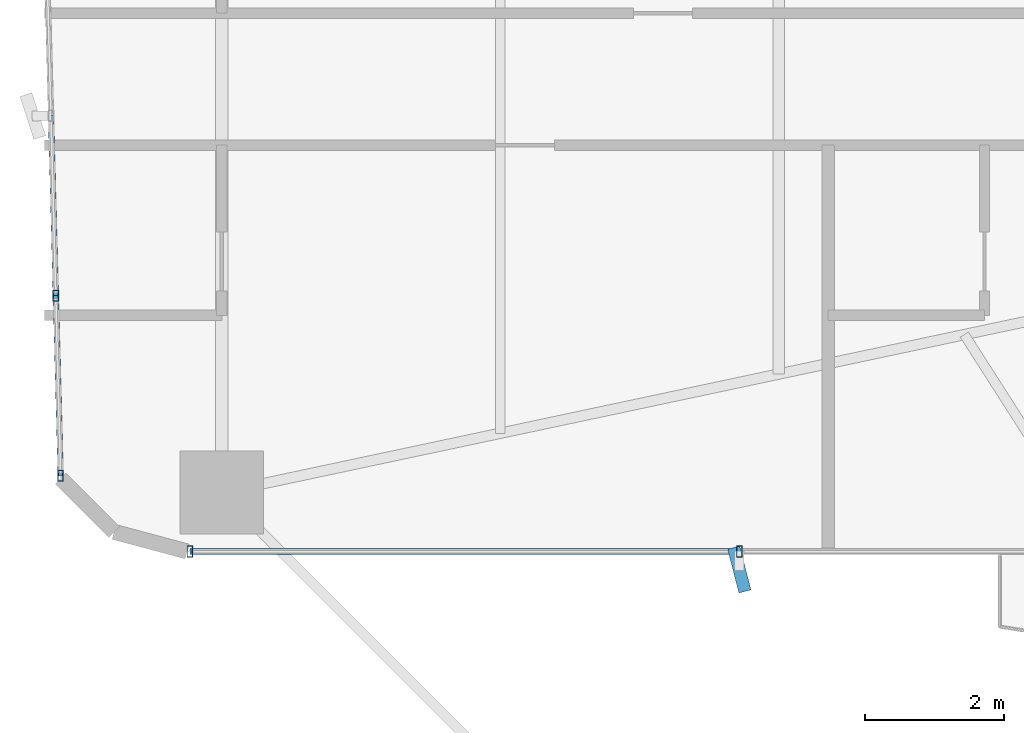
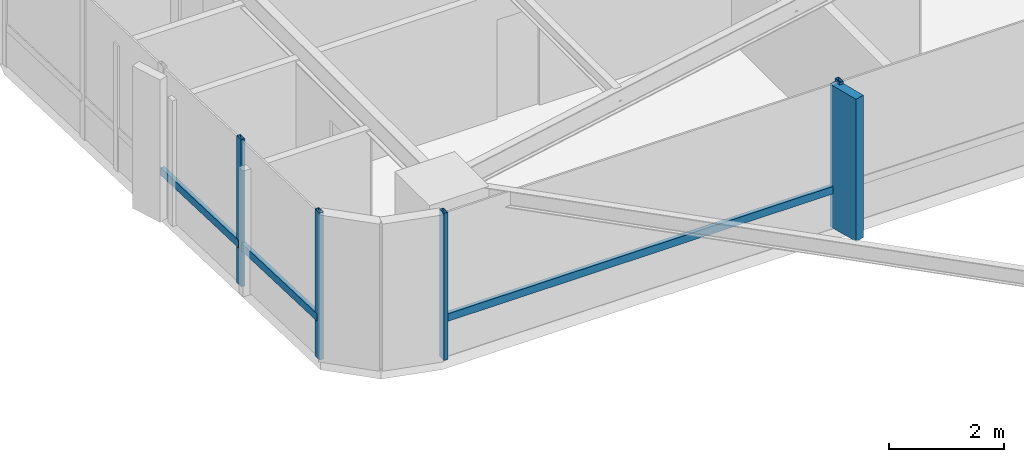
# One storey, part 6 of 25: 8 members, 2 elements without a shape of their own.
"""IFC4 building model written with IfcOpenShell, lengths in metres."""

from ifc_helpers import new_model, si_unit, direction, frame, origin, origin_2d, place, context, subcontext, project, spatial, rectangle, hollow_rectangle, extrude, source, transform, mapped, material, material_profile, profile_set, type_object, element, aggregate, save


model = new_model("IFC4")

# Units and contexts
model_context = context("Model", 3, precision=1e-05, world=origin(), true_north=direction((0.0, 1.0)))
body_context = subcontext(model_context, "Body", "Model", "MODEL_VIEW")
ifc_project = project(units=[si_unit("LENGTHUNIT", "METRE"), si_unit("AREAUNIT", "SQUARE_METRE"), si_unit("VOLUMEUNIT", "CUBIC_METRE"), si_unit("PLANEANGLEUNIT", "RADIAN"), si_unit("MASSUNIT", "GRAM", prefix="KILO")], contexts=[model_context])

# Site, building, storey
site_placement = place(None, origin())
site = spatial("IfcSite", under=ifc_project, at=site_placement, CompositionType="ELEMENT")
building_placement = place(site_placement, origin())
building = spatial("IfcBuilding", under=site, at=building_placement, Name="Sahyath Konkavel Grand Hotel", CompositionType="ELEMENT")
storey_placement = place(building_placement, frame((0.0, 0.0, 54.39990234375)))
storey = spatial("IfcBuildingStorey", under=building, at=storey_placement, Name="L14", CompositionType="ELEMENT", Elevation=54.39990234375)

# Curtain wall, members
ifc_material_1 = material(Name="Anodised Bronze Aluminium & Low-E Glazing", Category="aluminium")
curtain_wall_type = type_object("IfcCurtainWallType", Name="CW-ZONE1", PredefinedType="NOTDEFINED", material=ifc_material_1)
curtain_wall_1_placement = place(storey_placement, origin())
curtain_wall_1 = element("IfcCurtainWall", 1, at=curtain_wall_1_placement, inside=storey, type_object=curtain_wall_type, Name="L14 Unitised Curtain Wall F23", PredefinedType="NOTDEFINED")
ifc_material_2 = material(Name="Warm Buff Sandstone Cladding on Concrete C50/60", Category="masonry")
ifc_material_profile_1 = material_profile(ifc_material_2, rectangle(XDim=0.179931640625, YDim=0.64990234375, at=origin_2d()), Name="FIN 180x650")
ifc_profile_set_1 = profile_set([ifc_material_profile_1], Name="Warm Buff Sandstone Cladding on Concrete C50/60")
member_type_1 = type_object("IfcMemberType", Name="FIN-SANDSTONE-650", PredefinedType="MULLION", material=ifc_profile_set_1)
shared_shape_1 = source(origin(), body_context, "Body", "SweptSolid", [
    extrude(rectangle(XDim=0.179931640625, YDim=0.64990234375, at=origin_2d()), origin(), (0.0, 0.0, 1.0), 3.010009765625),
])
member_1_placement = place(storey_placement, frame((-14.75, -7.06005859375, 0.050048828125), z_axis=(0.0, 0.0, 1.0), x_axis=(0.96862655095, 0.248520833726, 0.0)))
member_1 = element("IfcMember", 2, at=member_1_placement, type_object=member_type_1, Name="L14 Sandstone Vertical Solar Fin FIN F23-1", PredefinedType="MULLION", context=body_context, shape_type="MappedRepresentation", body=[
    mapped(shared_shape_1, transform((0.0, 0.0, 0.0), scale=1.0)),
])
ifc_material_3 = material(Name="Anodised Bronze Aluminium", Category="aluminium")
ifc_material_profile_2 = material_profile(ifc_material_3, hollow_rectangle(XDim=0.080078125, YDim=0.159912109375, WallThickness=0.006103515625, at=origin_2d()), Name="RHS 160x80x6")
ifc_profile_set_2 = profile_set([ifc_material_profile_2], Name="Anodised Bronze Aluminium")
member_type_2 = type_object("IfcMemberType", Name="CW-TRN-160", PredefinedType="USERDEFINED", material=ifc_profile_set_2)
shared_shape_2 = source(origin(), body_context, "Body", "SweptSolid", [
    extrude(hollow_rectangle(XDim=0.080078125, YDim=0.159912109375, WallThickness=0.006103515625, at=origin_2d()), origin(), (0.0, 0.0, 1.0), 7.909912109375),
])
member_2_placement = place(storey_placement, frame((-22.659912109375, -6.800048828125, 0.85009765625), z_axis=(1.0, 0.0, 0.0), x_axis=(0.0, 1.0, 0.0)))
member_2 = element("IfcMember", 3, at=member_2_placement, type_object=member_type_2, Name="L14 Curtain Wall Transom F23-0-spandrel", ObjectType="TRANSOM", PredefinedType="USERDEFINED", context=body_context, shape_type="MappedRepresentation", body=[
    mapped(shared_shape_2, transform((0.0, 0.0, 0.0), scale=1.0)),
])

curtain_wall_2_placement = place(storey_placement, origin())
curtain_wall_2 = element("IfcCurtainWall", 4, at=curtain_wall_2_placement, inside=storey, type_object=curtain_wall_type, Name="L14 Unitised Curtain Wall F20", PredefinedType="NOTDEFINED")
shared_shape_3 = source(origin(), body_context, "Body", "SweptSolid", [
    extrude(hollow_rectangle(XDim=0.080078125, YDim=0.159912109375, WallThickness=0.006103515625, at=origin_2d()), origin(), (0.0, 0.0, 1.0), 2.593505859375),
])
member_3_placement = place(storey_placement, frame((-24.6591796875, -0.52490234375, 0.85009765625), z_axis=(0.02682902444, -0.999640036937, 0.0), x_axis=(0.999640036937, 0.02682902444, 0.0)))
member_3 = element("IfcMember", 5, at=member_3_placement, type_object=member_type_2, Name="L14 Curtain Wall Transom F20-2-spandrel", ObjectType="TRANSOM", PredefinedType="USERDEFINED", context=body_context, shape_type="MappedRepresentation", body=[
    mapped(shared_shape_3, transform((0.0, 0.0, 0.0), scale=1.0)),
])
member_4_placement = place(storey_placement, frame((-24.589599609375, -3.117431640625, 0.85009765625), z_axis=(0.026923093252, -0.999637507825, 0.0), x_axis=(0.999637507825, 0.026923093252, 0.0)))
member_4 = element("IfcMember", 6, at=member_4_placement, type_object=member_type_2, Name="L14 Curtain Wall Transom F20-3-spandrel", ObjectType="TRANSOM", PredefinedType="USERDEFINED", context=body_context, shape_type="MappedRepresentation", body=[
    mapped(shared_shape_3, transform((0.0, 0.0, 0.0), scale=1.0)),
])
ifc_material_profile_3 = material_profile(ifc_material_3, hollow_rectangle(XDim=0.080078125, YDim=0.159912109375, WallThickness=0.006103515625, at=origin_2d()), Name="RHS 160x80x6")
ifc_profile_set_3 = profile_set([ifc_material_profile_3], Name="Anodised Bronze Aluminium")
member_type_3 = type_object("IfcMemberType", Name="CW-MUL-160", PredefinedType="MULLION", material=ifc_profile_set_3)
shared_shape_4 = source(origin(), body_context, "Body", "SweptSolid", [
    extrude(hollow_rectangle(XDim=0.080078125, YDim=0.159912109375, WallThickness=0.006103515625, at=origin_2d()), origin(), (0.0, 0.0, 1.0), 3.110107421875),
])
member_5_placement = place(storey_placement, frame((-24.589599609375, -3.117431640625, 0.0), z_axis=(0.0, 0.0, 1.0), x_axis=(1.0, 0.0, 0.0)))
member_5 = element("IfcMember", 7, at=member_5_placement, type_object=member_type_3, Name="L14 Curtain Wall Mullion F20-3", PredefinedType="MULLION", context=body_context, shape_type="MappedRepresentation", body=[
    mapped(shared_shape_4, transform((0.0, 0.0, 0.0), scale=1.0)),
])
member_6_placement = place(storey_placement, frame((-24.519775390625, -5.7099609375, 0.0), z_axis=(0.0, 0.0, 1.0), x_axis=(1.0, 0.0, 0.0)))
member_6 = element("IfcMember", 8, at=member_6_placement, type_object=member_type_3, Name="L14 Curtain Wall Mullion F20-4", PredefinedType="MULLION", context=body_context, shape_type="MappedRepresentation", body=[
    mapped(shared_shape_4, transform((0.0, 0.0, 0.0), scale=1.0)),
])
aggregate(curtain_wall_2, [member_5, member_6, member_3, member_4])

# Member
member_7_placement = place(storey_placement, frame((-22.659912109375, -6.800048828125, 0.0), z_axis=(0.0, 0.0, 1.0), x_axis=(1.0, 0.0, 0.0)))
member_7 = element("IfcMember", 9, at=member_7_placement, type_object=member_type_3, Name="L14 Curtain Wall Mullion F23-0", PredefinedType="MULLION", context=body_context, shape_type="MappedRepresentation", body=[
    mapped(shared_shape_4, transform((0.0, 0.0, 0.0), scale=1.0)),
])

member_8_placement = place(storey_placement, frame((-14.75, -6.800048828125, 0.0), z_axis=(0.0, 0.0, 1.0), x_axis=(1.0, 0.0, 0.0)))
member_8 = element("IfcMember", 10, at=member_8_placement, type_object=member_type_3, Name="L14 Curtain Wall Mullion F23-1", PredefinedType="MULLION", context=body_context, shape_type="MappedRepresentation", body=[
    mapped(shared_shape_4, transform((0.0, 0.0, 0.0), scale=1.0)),
])

aggregate(curtain_wall_1, [member_7, member_8, member_1, member_2])

save(model, "model.ifc")
